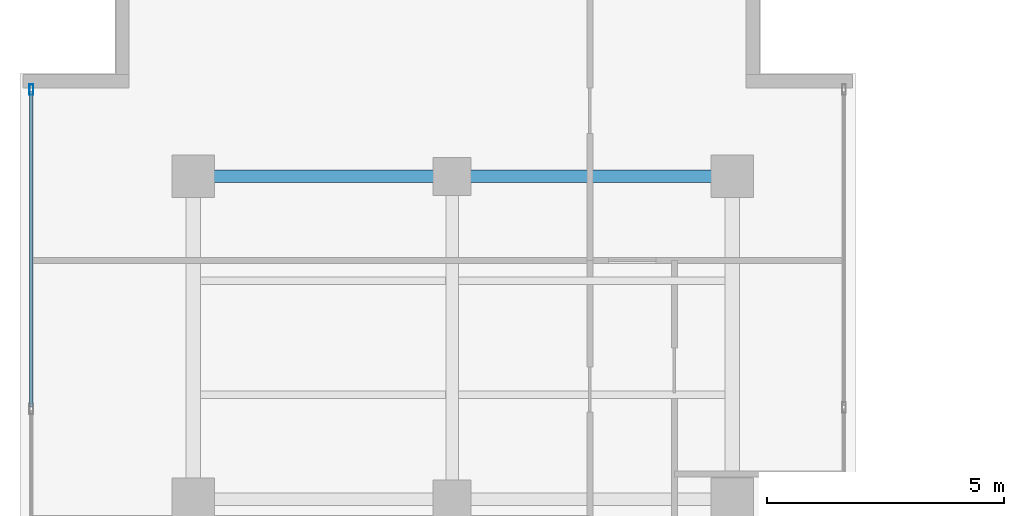
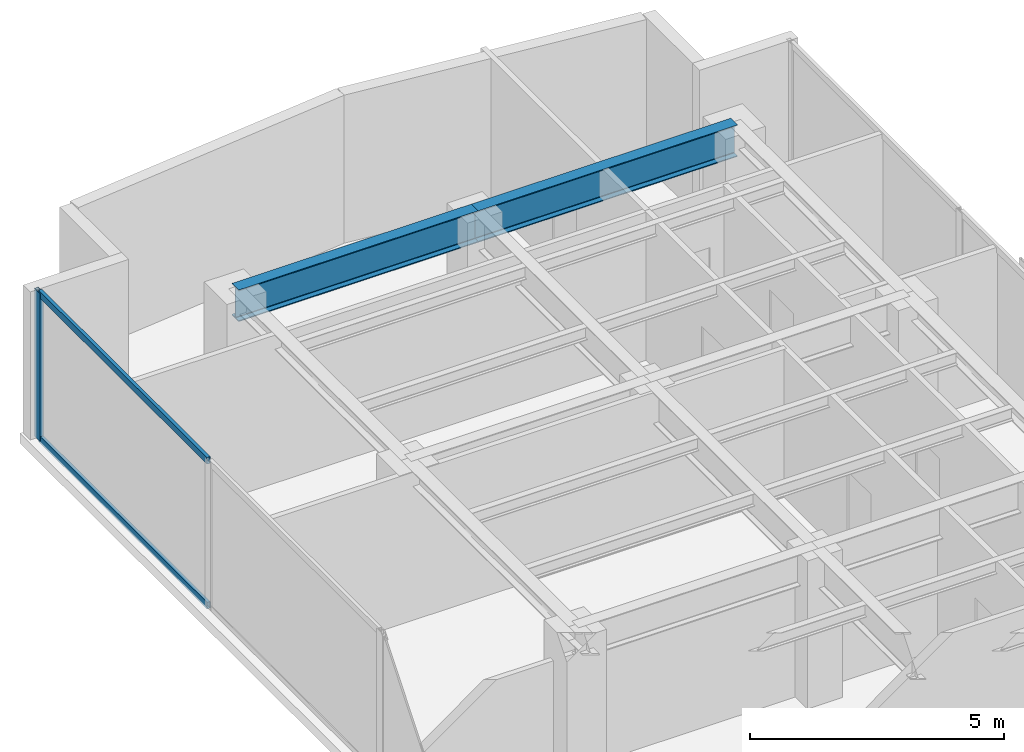
# One storey, part 14 of 22: 3 members, 2 beams, 1 element without a shape of its own.
"""IFC4 building model written with IfcOpenShell, lengths in metres."""

from ifc_helpers import new_model, si_unit, direction, frame, origin, origin_with_axes, origin_2d, place, context, subcontext, project, spatial, hollow_rectangle, i_section, extrude, source, transform, mapped, material, layer, layer_set, material_profile, profile_set, type_object, element, aggregate, save


model = new_model("IFC4")

# Units and contexts
model_context = context("Model", 3, precision=1e-05, world=origin(), true_north=direction((0.0, 1.0)))
body_context = subcontext(model_context, "Body", "Model", "MODEL_VIEW")
ifc_project = project(units=[si_unit("LENGTHUNIT", "METRE"), si_unit("AREAUNIT", "SQUARE_METRE"), si_unit("VOLUMEUNIT", "CUBIC_METRE"), si_unit("PLANEANGLEUNIT", "RADIAN"), si_unit("MASSUNIT", "GRAM", prefix="KILO")], contexts=[model_context])

# Site, building, storey
site_placement = place(None, origin())
site = spatial("IfcSite", under=ifc_project, at=site_placement, CompositionType="ELEMENT")
building_placement = place(site_placement, origin())
building = spatial("IfcBuilding", under=site, at=building_placement, Name="Kolvaren Waterfront Exchange", CompositionType="ELEMENT")
storey_placement = place(building_placement, frame((0.0, 0.0, 266.60009765625)))
storey = spatial("IfcBuildingStorey", under=building, at=storey_placement, Name="L68", CompositionType="ELEMENT", Elevation=266.60009765625)

# Beams
ifc_material_1 = material(Name="Steel S355", Category="steel")
ifc_material_profile_1 = material_profile(ifc_material_1, i_section(OverallWidth=0.26708984375, OverallDepth=0.761962890625, WebThickness=0.014404296875, FlangeThickness=0.021484375, FilletRadius=0.01708984375, at=origin_2d()), Name="IPE750x173")
ifc_profile_set_1 = profile_set([ifc_material_profile_1], Name="Steel S355")
beam_type = type_object("IfcBeamType", Name="STR-BM-IPE750", PredefinedType="BEAM", material=ifc_profile_set_1)
beam_1_placement = place(storey_placement, frame((7.449951171875, 44.60009765625, 3.178955078125), z_axis=(1.0, 0.0, 0.0), x_axis=(0.0, 1.0, 0.0)))
element("IfcBeam", 1, at=beam_1_placement, inside=storey, type_object=beam_type, Name="L68 north-arm girder 4A", PredefinedType="BEAM", context=body_context, shape_type="SweptSolid", body=[
    extrude(i_section(OverallWidth=0.26708984375, OverallDepth=0.761962890625, WebThickness=0.014404296875, FlangeThickness=0.021484375, FilletRadius=0.01708984375, at=origin_2d()), origin(), (0.0, 0.0, 1.0), 5.449951171875),
])
beam_2_placement = place(storey_placement, frame((12.89990234375, 44.60009765625, 3.178955078125), z_axis=(1.0, 0.0, 0.0), x_axis=(0.0, 1.0, 0.0)))
element("IfcBeam", 2, at=beam_2_placement, inside=storey, type_object=beam_type, Name="L68 north-arm girder 4B", PredefinedType="BEAM", context=body_context, shape_type="SweptSolid", body=[
    extrude(i_section(OverallWidth=0.26708984375, OverallDepth=0.761962890625, WebThickness=0.014404296875, FlangeThickness=0.021484375, FilletRadius=0.01708984375, at=origin_2d()), origin(), (0.0, 0.0, 1.0), 5.900146484375),
])

# Curtain wall, members
ifc_material_2 = material(Name="Anodised aluminium 6063-T6", Category="aluminium")
ifc_layer = layer(ifc_material_2, 0.219970703125, Name="Anodised aluminium 6063-T6")
ifc_layer_set = layer_set([ifc_layer], Name="Anodised aluminium 6063-T6")
curtain_wall_type = type_object("IfcCurtainWallType", Name="ARC-CW-SYS2", PredefinedType="USERDEFINED", material=ifc_layer_set)
curtain_wall_placement = place(storey_placement, origin())
curtain_wall = element("IfcCurtainWall", 3, at=curtain_wall_placement, inside=storey, type_object=curtain_wall_type, Name="L68 stick curtain wall CW2 (CW-L68-W)", ObjectType="STICK CURTAIN WALL", PredefinedType="USERDEFINED")
ifc_material_profile_2 = material_profile(ifc_material_2, hollow_rectangle(XDim=0.080078125, YDim=0.219970703125, WallThickness=0.0048828125, at=origin_2d()), Name="ALU-MUL-220x80x5")
ifc_profile_set_2 = profile_set([ifc_material_profile_2], Name="Anodised aluminium 6063-T6")
member_type_1 = type_object("IfcMemberType", Name="ARC-CWM-220", PredefinedType="MULLION", material=ifc_profile_set_2)
shared_shape_1 = source(origin_with_axes(), body_context, "Body", "SweptSolid", [
    extrude(hollow_rectangle(XDim=0.080078125, YDim=0.219970703125, WallThickness=0.0048828125, at=origin_2d()), origin(), (0.0, 0.0, 1.0), 3.559814453125),
])
member_1_placement = place(storey_placement, frame((4.0400390625, 46.423095703125, 0.0), z_axis=(0.0, 0.0, 1.0), x_axis=(-1.0, 0.0, 0.0)))
member_1 = element("IfcMember", 4, at=member_1_placement, type_object=member_type_1, Name="CW2 mullion 7", PredefinedType="MULLION", context=body_context, shape_type="MappedRepresentation", body=[
    mapped(shared_shape_1, transform((0.0, 0.0, 0.0), x_axis=(1.0, 0.0, 0.0), y_axis=(0.0, 1.0, 0.0), z_axis=(0.0, 0.0, 1.0), scale=1.0)),
])
ifc_material_profile_3 = material_profile(ifc_material_2, hollow_rectangle(XDim=0.074951171875, YDim=0.159912109375, WallThickness=0.00439453125, at=origin_2d()), Name="ALU-TRN-160x75x4.5")
ifc_profile_set_3 = profile_set([ifc_material_profile_3], Name="Anodised aluminium 6063-T6")
member_type_2 = type_object("IfcMemberType", Name="ARC-CWT-160", PredefinedType="USERDEFINED", material=ifc_profile_set_3)
shared_shape_2 = source(origin_with_axes(), body_context, "Body", "SweptSolid", [
    extrude(hollow_rectangle(XDim=0.074951171875, YDim=0.159912109375, WallThickness=0.00439453125, at=origin_2d()), origin(), (0.0, 0.0, 1.0), 6.640625),
])
member_2_placement = place(storey_placement, frame((4.0400390625, 39.74267578125, 0.037353515625), z_axis=(0.0, 1.0, 0.0), x_axis=(-1.0, 0.0, 0.0)))
member_2 = element("IfcMember", 5, at=member_2_placement, type_object=member_type_2, Name="CW2 transom 6.1", ObjectType="TRANSOM", PredefinedType="USERDEFINED", context=body_context, shape_type="MappedRepresentation", body=[
    mapped(shared_shape_2, transform((0.0, 0.0, 0.0), x_axis=(1.0, 0.0, 0.0), y_axis=(0.0, 1.0, 0.0), z_axis=(0.0, 0.0, 1.0), scale=1.0)),
])
member_3_placement = place(storey_placement, frame((4.0400390625, 39.74267578125, 3.5224609375), z_axis=(0.0, 1.0, 0.0), x_axis=(-1.0, 0.0, 0.0)))
member_3 = element("IfcMember", 6, at=member_3_placement, type_object=member_type_2, Name="CW2 transom 6.2", ObjectType="TRANSOM", PredefinedType="USERDEFINED", context=body_context, shape_type="MappedRepresentation", body=[
    mapped(shared_shape_2, transform((0.0, 0.0, 0.0), x_axis=(1.0, 0.0, 0.0), y_axis=(0.0, 1.0, 0.0), z_axis=(0.0, 0.0, 1.0), scale=1.0)),
])
aggregate(curtain_wall, [member_1, member_2, member_3])

save(model, "model.ifc")
